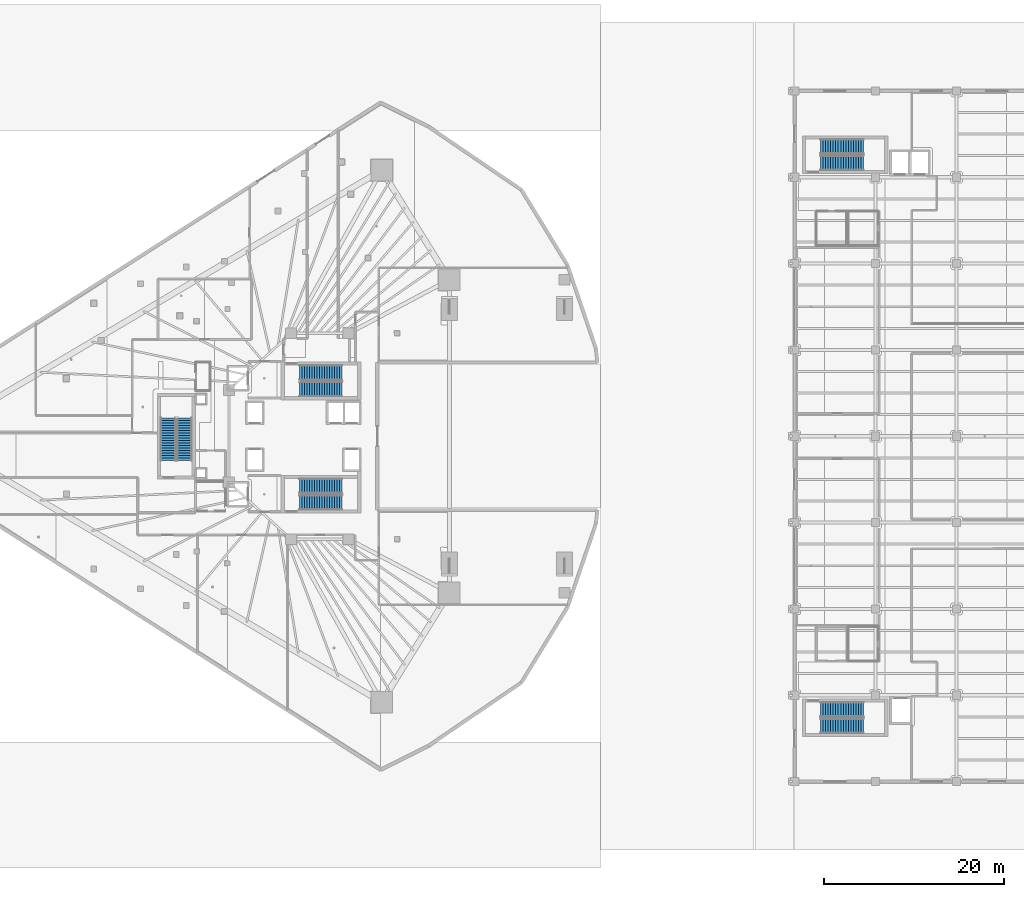
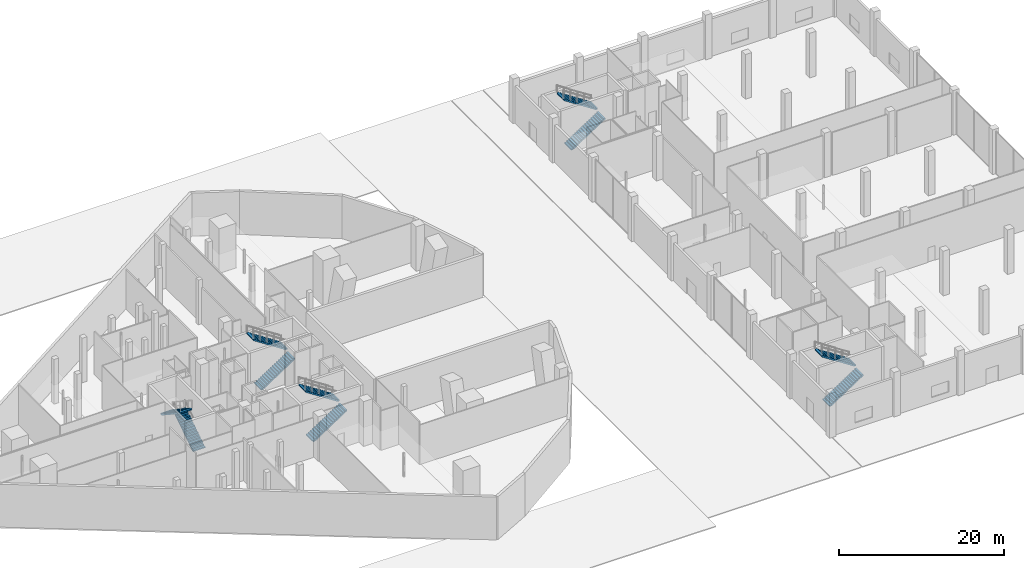
# One storey, part 34 of 45: 10 stair flights, 5 elements without a shape of their own.
"""IFC4 building model written with IfcOpenShell, lengths in metres."""

from ifc_helpers import new_model, si_unit, direction, frame, origin, place, context, subcontext, project, spatial, polyline, outline, extrude, material, layer, layer_set, type_object, element, aggregate, save


model = new_model("IFC4")

# Units and contexts
model_context = context("Model", 3, precision=1e-05, world=origin(), true_north=direction((0.0, 1.0)))
body_context = subcontext(model_context, "Body", "Model", "MODEL_VIEW")
ifc_project = project(units=[si_unit("LENGTHUNIT", "METRE"), si_unit("AREAUNIT", "SQUARE_METRE"), si_unit("VOLUMEUNIT", "CUBIC_METRE"), si_unit("PLANEANGLEUNIT", "RADIAN"), si_unit("MASSUNIT", "GRAM", prefix="KILO")], contexts=[model_context])

# Site, building, storey
site_placement = place(None, origin())
site = spatial("IfcSite", under=ifc_project, at=site_placement, CompositionType="ELEMENT")
building_placement = place(site_placement, origin())
building = spatial("IfcBuilding", under=site, at=building_placement, Name="Qorvath Tower", CompositionType="ELEMENT")
storey_placement = place(building_placement, origin())
storey = spatial("IfcBuildingStorey", under=building, at=storey_placement, Name="L00", CompositionType="ELEMENT", Elevation=0.0)

# Stair, stair flights
ifc_material_1 = material(Name="Concrete C50/60", Category="concrete")
stair_type = type_object("IfcStairType", Name="ST-H660", PredefinedType="HALF_TURN_STAIR", material=ifc_material_1)
stair_1_placement = place(storey_placement, origin())
stair_1 = element("IfcStair", 1, at=stair_1_placement, inside=storey, type_object=stair_type, Name="L00 Library Exit Stair 1", PredefinedType="HALF_TURN_STAIR")
ifc_material_2 = material(Name="Concrete C50/60", Category="concrete")
ifc_layer = layer(ifc_material_2, 0.14990234375)
ifc_layer_set = layer_set([ifc_layer], Name="SF-H660")
stair_flight_type = type_object("IfcStairFlightType", Name="SF-H660", PredefinedType="STRAIGHT", material=ifc_layer_set)
stair_flight_1_placement = place(storey_placement, frame((35.280029296875, 30.389892578125, 0.0), z_axis=(0.0, 0.0, 1.0), x_axis=(1.0, 0.0, 0.0)))
stair_flight_1 = element("IfcStairFlight", 2, at=stair_flight_1_placement, type_object=stair_flight_type, Name="LS1 flight 1", NumberOfRisers=18, NumberOfTreads=17, PredefinedType="STRAIGHT", RiserHeight=0.183333333, TreadLength=0.28, context=body_context, shape_type="SweptSolid", body=[
    extrude(outline(polyline([(0.0, 0.0), (0.0, 0.183349609375), (0.280029296875, 0.183349609375), (0.280029296875, 0.36669921875), (0.56005859375, 0.36669921875), (0.56005859375, 0.550048828125), (0.840087890625, 0.550048828125), (0.840087890625, 0.7333984375), (1.1201171875, 0.7333984375), (1.1201171875, 0.916748046875), (1.39990234375, 0.916748046875), (1.39990234375, 1.10009765625), (1.679931640625, 1.10009765625), (1.679931640625, 1.283447265625), (1.9599609375, 1.283447265625), (1.9599609375, 1.466552734375), (2.239990234375, 1.466552734375), (2.239990234375, 1.64990234375), (2.52001953125, 1.64990234375), (2.52001953125, 1.833251953125), (2.800048828125, 1.833251953125), (2.800048828125, 2.0166015625), (3.080078125, 2.0166015625), (3.080078125, 2.199951171875), (3.360107421875, 2.199951171875), (3.360107421875, 2.38330078125), (3.639892578125, 2.38330078125), (3.639892578125, 2.566650390625), (3.919921875, 2.566650390625), (3.919921875, 2.75), (4.199951171875, 2.75), (4.199951171875, 2.933349609375), (4.47998046875, 2.933349609375), (4.47998046875, 3.11669921875), (4.760009765625, 3.11669921875), (4.760009765625, 3.300048828125), (4.760009765625, 2.9375), (0.273681640625, 0.0), (0.0, 0.0)])), frame((0.0, 0.83984375, 0.0), z_axis=(0.0, -1.0, 0.0), x_axis=(1.0, 0.0, 0.0)), (0.0, 0.0, 1.0), 1.679931640625),
])
stair_flight_2_placement = place(storey_placement, frame((40.0400390625, 32.219970703125, 3.300048828125), z_axis=(0.0, 0.0, 1.0), x_axis=(-1.0, 0.0, 0.0)))
stair_flight_2 = element("IfcStairFlight", 3, at=stair_flight_2_placement, type_object=stair_flight_type, Name="LS1 flight 2", NumberOfRisers=18, NumberOfTreads=17, PredefinedType="STRAIGHT", RiserHeight=0.183333333, TreadLength=0.28, context=body_context, shape_type="SweptSolid", body=[
    extrude(outline(polyline([(0.0, 0.0), (0.0, 0.183349609375), (0.280029296875, 0.183349609375), (0.280029296875, 0.36669921875), (0.56005859375, 0.36669921875), (0.56005859375, 0.550048828125), (0.840087890625, 0.550048828125), (0.840087890625, 0.7333984375), (1.1201171875, 0.7333984375), (1.1201171875, 0.916748046875), (1.39990234375, 0.916748046875), (1.39990234375, 1.10009765625), (1.679931640625, 1.10009765625), (1.679931640625, 1.283447265625), (1.9599609375, 1.283447265625), (1.9599609375, 1.466552734375), (2.239990234375, 1.466552734375), (2.239990234375, 1.64990234375), (2.52001953125, 1.64990234375), (2.52001953125, 1.833251953125), (2.800048828125, 1.833251953125), (2.800048828125, 2.0166015625), (3.080078125, 2.0166015625), (3.080078125, 2.199951171875), (3.360107421875, 2.199951171875), (3.360107421875, 2.38330078125), (3.639892578125, 2.38330078125), (3.639892578125, 2.566650390625), (3.919921875, 2.566650390625), (3.919921875, 2.75), (4.199951171875, 2.75), (4.199951171875, 2.933349609375), (4.47998046875, 2.933349609375), (4.47998046875, 3.11669921875), (4.760009765625, 3.11669921875), (4.760009765625, 3.300048828125), (4.760009765625, 2.9375), (0.273681640625, 0.0), (0.0, 0.0)])), frame((0.0, 0.83984375, 0.0), z_axis=(0.0, -1.0, 0.0), x_axis=(1.0, 0.0, 0.0)), (0.0, 0.0, 1.0), 1.679931640625),
])
aggregate(stair_1, [stair_flight_1, stair_flight_2])

stair_2_placement = place(storey_placement, origin())
stair_2 = element("IfcStair", 4, at=stair_2_placement, inside=storey, type_object=stair_type, Name="L00 Library Exit Stair 2", PredefinedType="HALF_TURN_STAIR")
stair_flight_3_placement = place(storey_placement, frame((35.280029296875, -32.2099609375, 0.0), z_axis=(0.0, 0.0, 1.0), x_axis=(1.0, 0.0, 0.0)))
stair_flight_3 = element("IfcStairFlight", 5, at=stair_flight_3_placement, type_object=stair_flight_type, Name="LS2 flight 1", NumberOfRisers=18, NumberOfTreads=17, PredefinedType="STRAIGHT", RiserHeight=0.183333333, TreadLength=0.28, context=body_context, shape_type="SweptSolid", body=[
    extrude(outline(polyline([(0.0, 0.0), (0.0, 0.183349609375), (0.280029296875, 0.183349609375), (0.280029296875, 0.36669921875), (0.56005859375, 0.36669921875), (0.56005859375, 0.550048828125), (0.840087890625, 0.550048828125), (0.840087890625, 0.7333984375), (1.1201171875, 0.7333984375), (1.1201171875, 0.916748046875), (1.39990234375, 0.916748046875), (1.39990234375, 1.10009765625), (1.679931640625, 1.10009765625), (1.679931640625, 1.283447265625), (1.9599609375, 1.283447265625), (1.9599609375, 1.466552734375), (2.239990234375, 1.466552734375), (2.239990234375, 1.64990234375), (2.52001953125, 1.64990234375), (2.52001953125, 1.833251953125), (2.800048828125, 1.833251953125), (2.800048828125, 2.0166015625), (3.080078125, 2.0166015625), (3.080078125, 2.199951171875), (3.360107421875, 2.199951171875), (3.360107421875, 2.38330078125), (3.639892578125, 2.38330078125), (3.639892578125, 2.566650390625), (3.919921875, 2.566650390625), (3.919921875, 2.75), (4.199951171875, 2.75), (4.199951171875, 2.933349609375), (4.47998046875, 2.933349609375), (4.47998046875, 3.11669921875), (4.760009765625, 3.11669921875), (4.760009765625, 3.300048828125), (4.760009765625, 2.9375), (0.273681640625, 0.0), (0.0, 0.0)])), frame((0.0, 0.83984375, 0.0), z_axis=(0.0, -1.0, 0.0), x_axis=(1.0, 0.0, 0.0)), (0.0, 0.0, 1.0), 1.679931640625),
])
stair_flight_4_placement = place(storey_placement, frame((40.0400390625, -30.3798828125, 3.300048828125), z_axis=(0.0, 0.0, 1.0), x_axis=(-1.0, 0.0, 0.0)))
stair_flight_4 = element("IfcStairFlight", 6, at=stair_flight_4_placement, type_object=stair_flight_type, Name="LS2 flight 2", NumberOfRisers=18, NumberOfTreads=17, PredefinedType="STRAIGHT", RiserHeight=0.183333333, TreadLength=0.28, context=body_context, shape_type="SweptSolid", body=[
    extrude(outline(polyline([(0.0, 0.0), (0.0, 0.183349609375), (0.280029296875, 0.183349609375), (0.280029296875, 0.36669921875), (0.56005859375, 0.36669921875), (0.56005859375, 0.550048828125), (0.840087890625, 0.550048828125), (0.840087890625, 0.7333984375), (1.1201171875, 0.7333984375), (1.1201171875, 0.916748046875), (1.39990234375, 0.916748046875), (1.39990234375, 1.10009765625), (1.679931640625, 1.10009765625), (1.679931640625, 1.283447265625), (1.9599609375, 1.283447265625), (1.9599609375, 1.466552734375), (2.239990234375, 1.466552734375), (2.239990234375, 1.64990234375), (2.52001953125, 1.64990234375), (2.52001953125, 1.833251953125), (2.800048828125, 1.833251953125), (2.800048828125, 2.0166015625), (3.080078125, 2.0166015625), (3.080078125, 2.199951171875), (3.360107421875, 2.199951171875), (3.360107421875, 2.38330078125), (3.639892578125, 2.38330078125), (3.639892578125, 2.566650390625), (3.919921875, 2.566650390625), (3.919921875, 2.75), (4.199951171875, 2.75), (4.199951171875, 2.933349609375), (4.47998046875, 2.933349609375), (4.47998046875, 3.11669921875), (4.760009765625, 3.11669921875), (4.760009765625, 3.300048828125), (4.760009765625, 2.9375), (0.273681640625, 0.0), (0.0, 0.0)])), frame((0.0, 0.83984375, 0.0), z_axis=(0.0, -1.0, 0.0), x_axis=(1.0, 0.0, 0.0)), (0.0, 0.0, 1.0), 1.679931640625),
])
aggregate(stair_2, [stair_flight_3, stair_flight_4])

stair_3_placement = place(storey_placement, origin())
stair_3 = element("IfcStair", 7, at=stair_3_placement, inside=storey, type_object=stair_type, Name="L00 Tower Exit Stair 1", PredefinedType="HALF_TURN_STAIR")
stair_flight_5_placement = place(storey_placement, frame((-22.669921875, 5.239990234375, 0.0), z_axis=(0.0, 0.0, 1.0), x_axis=(1.0, 0.0, 0.0)))
stair_flight_5 = element("IfcStairFlight", 8, at=stair_flight_5_placement, type_object=stair_flight_type, Name="TS1 flight 1", NumberOfRisers=18, NumberOfTreads=17, PredefinedType="STRAIGHT", RiserHeight=0.183333333, TreadLength=0.28, context=body_context, shape_type="SweptSolid", body=[
    extrude(outline(polyline([(0.0, 0.0), (0.0, 0.183349609375), (0.280029296875, 0.183349609375), (0.280029296875, 0.36669921875), (0.56005859375, 0.36669921875), (0.56005859375, 0.550048828125), (0.840087890625, 0.550048828125), (0.840087890625, 0.7333984375), (1.1201171875, 0.7333984375), (1.1201171875, 0.916748046875), (1.39990234375, 0.916748046875), (1.39990234375, 1.10009765625), (1.679931640625, 1.10009765625), (1.679931640625, 1.283447265625), (1.9599609375, 1.283447265625), (1.9599609375, 1.466552734375), (2.239990234375, 1.466552734375), (2.239990234375, 1.64990234375), (2.52001953125, 1.64990234375), (2.52001953125, 1.833251953125), (2.800048828125, 1.833251953125), (2.800048828125, 2.0166015625), (3.080078125, 2.0166015625), (3.080078125, 2.199951171875), (3.360107421875, 2.199951171875), (3.360107421875, 2.38330078125), (3.639892578125, 2.38330078125), (3.639892578125, 2.566650390625), (3.919921875, 2.566650390625), (3.919921875, 2.75), (4.199951171875, 2.75), (4.199951171875, 2.933349609375), (4.47998046875, 2.933349609375), (4.47998046875, 3.11669921875), (4.760009765625, 3.11669921875), (4.760009765625, 3.300048828125), (4.760009765625, 2.9375), (0.273681640625, 0.0), (0.0, 0.0)])), frame((0.0, 0.83984375, 0.0), z_axis=(0.0, -1.0, 0.0), x_axis=(1.0, 0.0, 0.0)), (0.0, 0.0, 1.0), 1.679931640625),
])
stair_flight_6_placement = place(storey_placement, frame((-17.909912109375, 7.070068359375, 3.300048828125), z_axis=(0.0, 0.0, 1.0), x_axis=(-1.0, 0.0, 0.0)))
stair_flight_6 = element("IfcStairFlight", 9, at=stair_flight_6_placement, type_object=stair_flight_type, Name="TS1 flight 2", NumberOfRisers=18, NumberOfTreads=17, PredefinedType="STRAIGHT", RiserHeight=0.183333333, TreadLength=0.28, context=body_context, shape_type="SweptSolid", body=[
    extrude(outline(polyline([(0.0, 0.0), (0.0, 0.183349609375), (0.280029296875, 0.183349609375), (0.280029296875, 0.36669921875), (0.56005859375, 0.36669921875), (0.56005859375, 0.550048828125), (0.840087890625, 0.550048828125), (0.840087890625, 0.7333984375), (1.1201171875, 0.7333984375), (1.1201171875, 0.916748046875), (1.39990234375, 0.916748046875), (1.39990234375, 1.10009765625), (1.679931640625, 1.10009765625), (1.679931640625, 1.283447265625), (1.9599609375, 1.283447265625), (1.9599609375, 1.466552734375), (2.239990234375, 1.466552734375), (2.239990234375, 1.64990234375), (2.52001953125, 1.64990234375), (2.52001953125, 1.833251953125), (2.800048828125, 1.833251953125), (2.800048828125, 2.0166015625), (3.080078125, 2.0166015625), (3.080078125, 2.199951171875), (3.360107421875, 2.199951171875), (3.360107421875, 2.38330078125), (3.639892578125, 2.38330078125), (3.639892578125, 2.566650390625), (3.919921875, 2.566650390625), (3.919921875, 2.75), (4.199951171875, 2.75), (4.199951171875, 2.933349609375), (4.47998046875, 2.933349609375), (4.47998046875, 3.11669921875), (4.760009765625, 3.11669921875), (4.760009765625, 3.300048828125), (4.760009765625, 2.9375), (0.273681640625, 0.0), (0.0, 0.0)])), frame((0.0, 0.83984375, 0.0), z_axis=(0.0, -1.0, 0.0), x_axis=(1.0, 0.0, 0.0)), (0.0, 0.0, 1.0), 1.679931640625),
])
aggregate(stair_3, [stair_flight_5, stair_flight_6])

stair_4_placement = place(storey_placement, origin())
stair_4 = element("IfcStair", 10, at=stair_4_placement, inside=storey, type_object=stair_type, Name="L00 Tower Exit Stair 2", PredefinedType="HALF_TURN_STAIR")
stair_flight_7_placement = place(storey_placement, frame((-22.669921875, -7.360107421875, 0.0), z_axis=(0.0, 0.0, 1.0), x_axis=(1.0, 0.0, 0.0)))
stair_flight_7 = element("IfcStairFlight", 11, at=stair_flight_7_placement, type_object=stair_flight_type, Name="TS2 flight 1", NumberOfRisers=18, NumberOfTreads=17, PredefinedType="STRAIGHT", RiserHeight=0.183333333, TreadLength=0.28, context=body_context, shape_type="SweptSolid", body=[
    extrude(outline(polyline([(0.0, 0.0), (0.0, 0.183349609375), (0.280029296875, 0.183349609375), (0.280029296875, 0.36669921875), (0.56005859375, 0.36669921875), (0.56005859375, 0.550048828125), (0.840087890625, 0.550048828125), (0.840087890625, 0.7333984375), (1.1201171875, 0.7333984375), (1.1201171875, 0.916748046875), (1.39990234375, 0.916748046875), (1.39990234375, 1.10009765625), (1.679931640625, 1.10009765625), (1.679931640625, 1.283447265625), (1.9599609375, 1.283447265625), (1.9599609375, 1.466552734375), (2.239990234375, 1.466552734375), (2.239990234375, 1.64990234375), (2.52001953125, 1.64990234375), (2.52001953125, 1.833251953125), (2.800048828125, 1.833251953125), (2.800048828125, 2.0166015625), (3.080078125, 2.0166015625), (3.080078125, 2.199951171875), (3.360107421875, 2.199951171875), (3.360107421875, 2.38330078125), (3.639892578125, 2.38330078125), (3.639892578125, 2.566650390625), (3.919921875, 2.566650390625), (3.919921875, 2.75), (4.199951171875, 2.75), (4.199951171875, 2.933349609375), (4.47998046875, 2.933349609375), (4.47998046875, 3.11669921875), (4.760009765625, 3.11669921875), (4.760009765625, 3.300048828125), (4.760009765625, 2.9375), (0.273681640625, 0.0), (0.0, 0.0)])), frame((0.0, 0.83984375, 0.0), z_axis=(0.0, -1.0, 0.0), x_axis=(1.0, 0.0, 0.0)), (0.0, 0.0, 1.0), 1.679931640625),
])
stair_flight_8_placement = place(storey_placement, frame((-17.909912109375, -5.530029296875, 3.300048828125), z_axis=(0.0, 0.0, 1.0), x_axis=(-1.0, 0.0, 0.0)))
stair_flight_8 = element("IfcStairFlight", 12, at=stair_flight_8_placement, type_object=stair_flight_type, Name="TS2 flight 2", NumberOfRisers=18, NumberOfTreads=17, PredefinedType="STRAIGHT", RiserHeight=0.183333333, TreadLength=0.28, context=body_context, shape_type="SweptSolid", body=[
    extrude(outline(polyline([(0.0, 0.0), (0.0, 0.183349609375), (0.280029296875, 0.183349609375), (0.280029296875, 0.36669921875), (0.56005859375, 0.36669921875), (0.56005859375, 0.550048828125), (0.840087890625, 0.550048828125), (0.840087890625, 0.7333984375), (1.1201171875, 0.7333984375), (1.1201171875, 0.916748046875), (1.39990234375, 0.916748046875), (1.39990234375, 1.10009765625), (1.679931640625, 1.10009765625), (1.679931640625, 1.283447265625), (1.9599609375, 1.283447265625), (1.9599609375, 1.466552734375), (2.239990234375, 1.466552734375), (2.239990234375, 1.64990234375), (2.52001953125, 1.64990234375), (2.52001953125, 1.833251953125), (2.800048828125, 1.833251953125), (2.800048828125, 2.0166015625), (3.080078125, 2.0166015625), (3.080078125, 2.199951171875), (3.360107421875, 2.199951171875), (3.360107421875, 2.38330078125), (3.639892578125, 2.38330078125), (3.639892578125, 2.566650390625), (3.919921875, 2.566650390625), (3.919921875, 2.75), (4.199951171875, 2.75), (4.199951171875, 2.933349609375), (4.47998046875, 2.933349609375), (4.47998046875, 3.11669921875), (4.760009765625, 3.11669921875), (4.760009765625, 3.300048828125), (4.760009765625, 2.9375), (0.273681640625, 0.0), (0.0, 0.0)])), frame((0.0, 0.83984375, 0.0), z_axis=(0.0, -1.0, 0.0), x_axis=(1.0, 0.0, 0.0)), (0.0, 0.0, 1.0), 1.679931640625),
])
aggregate(stair_4, [stair_flight_7, stair_flight_8])

stair_5_placement = place(storey_placement, origin())
stair_5 = element("IfcStair", 13, at=stair_5_placement, inside=storey, type_object=stair_type, Name="L00 Tower Exit Stair 3", PredefinedType="HALF_TURN_STAIR")
stair_flight_9_placement = place(storey_placement, frame((-35.43994140625, -2.719970703125, 0.0), z_axis=(0.0, 0.0, 1.0), x_axis=(0.0, 1.0, 0.0)))
stair_flight_9 = element("IfcStairFlight", 14, at=stair_flight_9_placement, type_object=stair_flight_type, Name="TS3 flight 1", NumberOfRisers=18, NumberOfTreads=17, PredefinedType="STRAIGHT", RiserHeight=0.183333333, TreadLength=0.28, context=body_context, shape_type="SweptSolid", body=[
    extrude(outline(polyline([(0.0, 0.0), (0.0, 0.183349609375), (0.280029296875, 0.183349609375), (0.280029296875, 0.36669921875), (0.56005859375, 0.36669921875), (0.56005859375, 0.550048828125), (0.840087890625, 0.550048828125), (0.840087890625, 0.7333984375), (1.1201171875, 0.7333984375), (1.1201171875, 0.916748046875), (1.39990234375, 0.916748046875), (1.39990234375, 1.10009765625), (1.679931640625, 1.10009765625), (1.679931640625, 1.283447265625), (1.9599609375, 1.283447265625), (1.9599609375, 1.466552734375), (2.239990234375, 1.466552734375), (2.239990234375, 1.64990234375), (2.52001953125, 1.64990234375), (2.52001953125, 1.833251953125), (2.800048828125, 1.833251953125), (2.800048828125, 2.0166015625), (3.080078125, 2.0166015625), (3.080078125, 2.199951171875), (3.360107421875, 2.199951171875), (3.360107421875, 2.38330078125), (3.639892578125, 2.38330078125), (3.639892578125, 2.566650390625), (3.919921875, 2.566650390625), (3.919921875, 2.75), (4.199951171875, 2.75), (4.199951171875, 2.933349609375), (4.47998046875, 2.933349609375), (4.47998046875, 3.11669921875), (4.760009765625, 3.11669921875), (4.760009765625, 3.300048828125), (4.760009765625, 2.9375), (0.273681640625, 0.0), (0.0, 0.0)])), frame((0.0, 0.83984375, 0.0), z_axis=(0.0, -1.0, 0.0), x_axis=(1.0, 0.0, 0.0)), (0.0, 0.0, 1.0), 1.679931640625),
])
stair_flight_10_placement = place(storey_placement, frame((-37.27001953125, 2.0400390625, 3.300048828125), z_axis=(0.0, 0.0, 1.0), x_axis=(0.0, -1.0, 0.0)))
stair_flight_10 = element("IfcStairFlight", 15, at=stair_flight_10_placement, type_object=stair_flight_type, Name="TS3 flight 2", NumberOfRisers=18, NumberOfTreads=17, PredefinedType="STRAIGHT", RiserHeight=0.183333333, TreadLength=0.28, context=body_context, shape_type="SweptSolid", body=[
    extrude(outline(polyline([(0.0, 0.0), (0.0, 0.183349609375), (0.280029296875, 0.183349609375), (0.280029296875, 0.36669921875), (0.56005859375, 0.36669921875), (0.56005859375, 0.550048828125), (0.840087890625, 0.550048828125), (0.840087890625, 0.7333984375), (1.1201171875, 0.7333984375), (1.1201171875, 0.916748046875), (1.39990234375, 0.916748046875), (1.39990234375, 1.10009765625), (1.679931640625, 1.10009765625), (1.679931640625, 1.283447265625), (1.9599609375, 1.283447265625), (1.9599609375, 1.466552734375), (2.239990234375, 1.466552734375), (2.239990234375, 1.64990234375), (2.52001953125, 1.64990234375), (2.52001953125, 1.833251953125), (2.800048828125, 1.833251953125), (2.800048828125, 2.0166015625), (3.080078125, 2.0166015625), (3.080078125, 2.199951171875), (3.360107421875, 2.199951171875), (3.360107421875, 2.38330078125), (3.639892578125, 2.38330078125), (3.639892578125, 2.566650390625), (3.919921875, 2.566650390625), (3.919921875, 2.75), (4.199951171875, 2.75), (4.199951171875, 2.933349609375), (4.47998046875, 2.933349609375), (4.47998046875, 3.11669921875), (4.760009765625, 3.11669921875), (4.760009765625, 3.300048828125), (4.760009765625, 2.9375), (0.273681640625, 0.0), (0.0, 0.0)])), frame((0.0, 0.83984375, 0.0), z_axis=(0.0, -1.0, 0.0), x_axis=(1.0, 0.0, 0.0)), (0.0, 0.0, 1.0), 1.679931640625),
])
aggregate(stair_5, [stair_flight_9, stair_flight_10])

save(model, "model.ifc")
